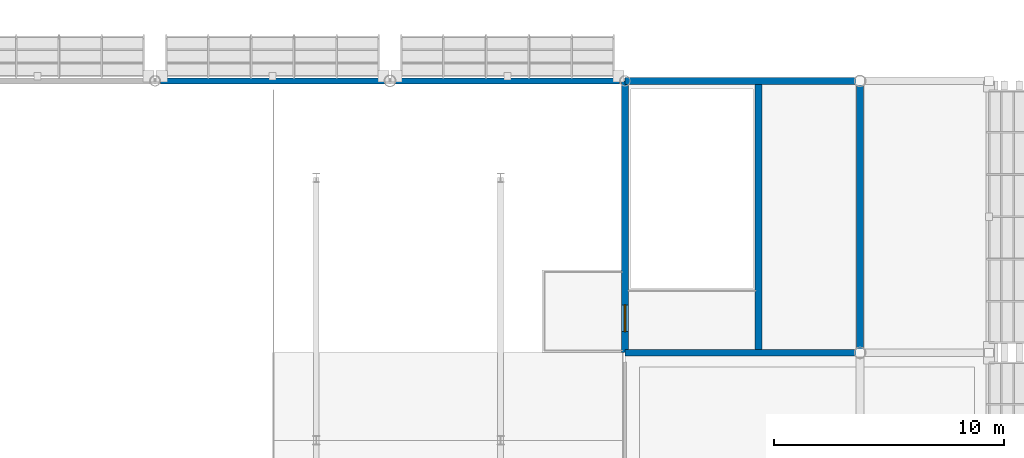
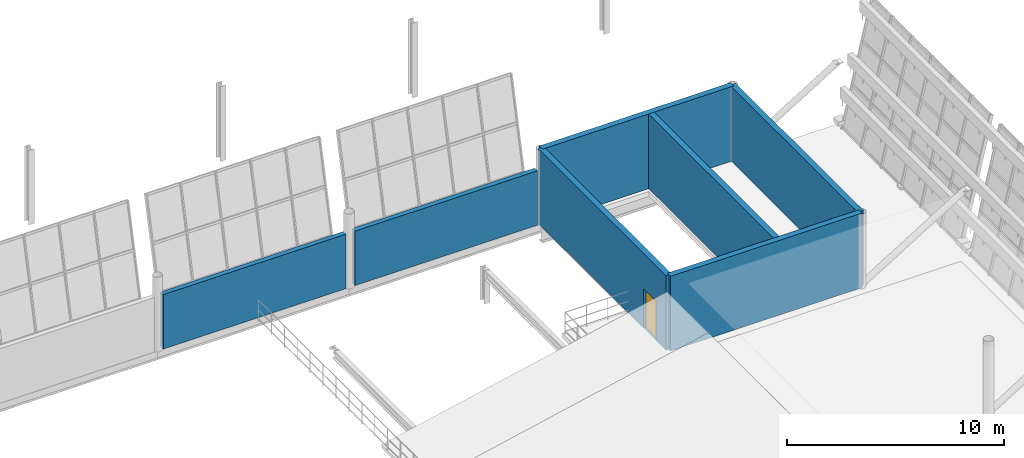
# One storey, part 132 of 157: 7 walls, 1 door, 1 opening.
"""IFC4 building model written with IfcOpenShell, lengths in metres."""

from ifc_helpers import new_model, si_unit, direction, frame, frame_2d, origin, place, context, subcontext, project, spatial, rectangle, extrude, material, layer, layer_set, type_object, element, fill, save


model = new_model("IFC4")

# Units and contexts
model_context = context("Model", 3, precision=1e-05, world=origin(), true_north=direction((0.0, 1.0)))
body_context = subcontext(model_context, "Body", "Model", "MODEL_VIEW")
ifc_project = project(units=[si_unit("LENGTHUNIT", "METRE"), si_unit("AREAUNIT", "SQUARE_METRE"), si_unit("VOLUMEUNIT", "CUBIC_METRE"), si_unit("PLANEANGLEUNIT", "RADIAN"), si_unit("MASSUNIT", "GRAM", prefix="KILO")], contexts=[model_context])

# Site, building, storey
site_placement = place(None, origin())
site = spatial("IfcSite", under=ifc_project, at=site_placement, CompositionType="ELEMENT")
building_placement = place(site_placement, origin())
building = spatial("IfcBuilding", under=site, at=building_placement, Name="Brelvane Convention Centre", CompositionType="ELEMENT")
storey_placement = place(building_placement, frame((0.0, 0.0, 10.800048828125)))
storey = spatial("IfcBuildingStorey", under=building, at=storey_placement, Name="L02", CompositionType="ELEMENT", Elevation=10.800048828125)

# Walls
ifc_material_1 = material(Name="Concrete M40", Category="concrete")
ifc_layer_1 = layer(ifc_material_1, 0.25)
ifc_layer_set_1 = layer_set([ifc_layer_1], Name="Concrete M40")
wall_type_1 = type_object("IfcWallType", Name="Exterior Wall EW-09", PredefinedType="SOLIDWALL", material=ifc_layer_set_1)
for number, where, z_axis, x_axis, name in (
    (1, (194.0400390625, 87.800048828125, 0.0), (0.0, 0.0, 1.0), (1.0, 0.0, 0.0), "Exterior Wall L02 V2N-L02-4"),
    (2, (204.239990234375, 87.800048828125, 0.0), (0.0, 0.0, 1.0), (1.0, 0.0, 0.0), "Exterior Wall L02 V2N-L02-5"),
):
    element("IfcWall", number, at=place(storey_placement, frame(where, z_axis=z_axis, x_axis=x_axis)), inside=storey, type_object=wall_type_1, Name=name, PredefinedType="SOLIDWALL", context=body_context, shape_type="SweptSolid", body=[
        extrude(rectangle(XDim=9.719970703125, YDim=0.25, at=frame_2d((4.85986328125, 0.0))), origin(), (0.0, 0.0, 1.0), 3.06005859375),
    ])
ifc_material_2 = material(Name="Concrete M50", Category="concrete")
ifc_layer_2 = layer(ifc_material_2, 0.300048828125)
ifc_layer_set_2 = layer_set([ifc_layer_2], Name="Concrete M50")
wall_type_2 = type_object("IfcWallType", Name="Structural Wall WL-CORE-300", PredefinedType="SHEAR", material=ifc_layer_set_2)
for number, where, z_axis, x_axis, name in (
    (3, (214.199951171875, 76.0, 0.0), (0.0, 0.0, 1.0), (1.0, 0.0, 0.0), "Stair Core ST-16 Wall S (L02)"),
    (4, (214.199951171875, 87.800048828125, 0.0), (0.0, 0.0, 1.0), (1.0, 0.0, 0.0), "Stair Core ST-16 Wall N (L02)"),
):
    element("IfcWall", number, at=place(storey_placement, frame(where, z_axis=z_axis, x_axis=x_axis)), inside=storey, type_object=wall_type_2, Name=name, PredefinedType="SHEAR", context=body_context, shape_type="SweptSolid", body=[
        extrude(rectangle(XDim=10.199951171875, YDim=0.300048828125, at=frame_2d((5.10009765625, 0.0))), origin(), (0.0, 0.0, 1.0), 4.199951171875),
    ])

# Wall, opening, door
wall_1_placement = place(storey_placement, frame((214.199951171875, 76.0, 0.0), z_axis=(0.0, 0.0, 1.0), x_axis=(0.0, 1.0, 0.0)))
wall_1 = element("IfcWall", 5, at=wall_1_placement, inside=storey, type_object=wall_type_2, Name="Stair Core ST-16 Wall W (L02)", PredefinedType="SHEAR", context=body_context, shape_type="SweptSolid", body=[
    extrude(rectangle(XDim=11.800048828125, YDim=0.300048828125, at=frame_2d((5.89990234375, 0.0))), origin(), (0.0, 0.0, 1.0), 4.199951171875),
])
opening_placement = place(wall_1_placement, frame((0.919921875, 0.0, 0.0)))
opening = element("IfcOpeningElement", 6, at=opening_placement, cuts=wall_1, Name="Opening DR-IN-04L", PredefinedType="OPENING", context=body_context, shape_type="SweptSolid", body=[
    extrude(rectangle(XDim=1.159912109375, YDim=2.199951171875, at=frame_2d((0.580078125, 1.10009765625))), frame((0.0, 0.159912109375, 0.0), z_axis=(0.0, -1.0, 0.0), x_axis=(1.0, 0.0, 0.0)), (0.0, 0.0, 1.0), 0.320068359375),
])
ifc_material_3 = material(Name="Galvanised Hollow-Metal Fire Door Steel E250", Category="steel")
door_type = type_object("IfcDoorType", Name="Interior Door DR-IN-04L", OperationType="NOTDEFINED", PredefinedType="DOOR", material=ifc_material_3)
door_placement = place(opening_placement, origin())
door = element("IfcDoor", 7, at=door_placement, inside=storey, type_object=door_type, Name="Stair ST-16 Entry Door (L02)", OperationType="SINGLE_SWING_LEFT", OverallHeight=2.199951171875, OverallWidth=1.159912109375, PredefinedType="DOOR", context=body_context, shape_type="SweptSolid", body=[
    extrude(rectangle(XDim=1.159912109375, YDim=2.199951171875, at=frame_2d((0.580078125, 1.10009765625))), frame((0.0, 0.02490234375, 0.0), z_axis=(0.0, -1.0, 0.0), x_axis=(1.0, 0.0, 0.0)), (0.0, 0.0, 1.0), 0.050048828125),
])
fill(opening, door)

# Walls
wall_2_placement = place(storey_placement, frame((224.39990234375, 76.0, 0.0), z_axis=(0.0, 0.0, 1.0), x_axis=(0.0, 1.0, 0.0)))
element("IfcWall", 8, at=wall_2_placement, inside=storey, type_object=wall_type_2, Name="Stair Core ST-16 Wall E (L02)", PredefinedType="SHEAR", context=body_context, shape_type="SweptSolid", body=[
    extrude(rectangle(XDim=11.800048828125, YDim=0.300048828125, at=frame_2d((5.89990234375, 0.0))), origin(), (0.0, 0.0, 1.0), 4.199951171875),
])
wall_3_placement = place(storey_placement, frame((220.0, 76.14990234375, 0.0), z_axis=(0.0, 0.0, 1.0), x_axis=(0.0, 1.0, 0.0)))
element("IfcWall", 9, at=wall_3_placement, inside=storey, type_object=wall_type_2, Name="Stair Core ST-16 Well Wall (L02)", PredefinedType="SHEAR", context=body_context, shape_type="SweptSolid", body=[
    extrude(rectangle(XDim=11.5, YDim=0.300048828125, at=frame_2d((5.75, 0.0))), origin(), (0.0, 0.0, 1.0), 4.199951171875),
])

save(model, "model.ifc")
